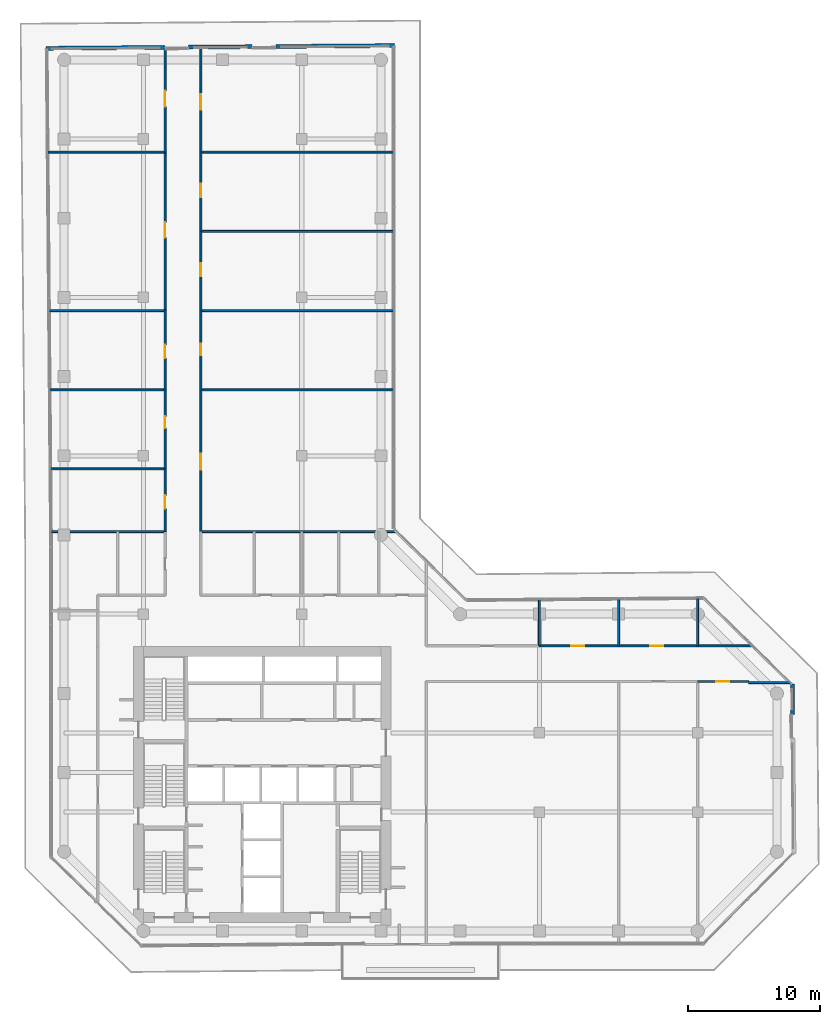
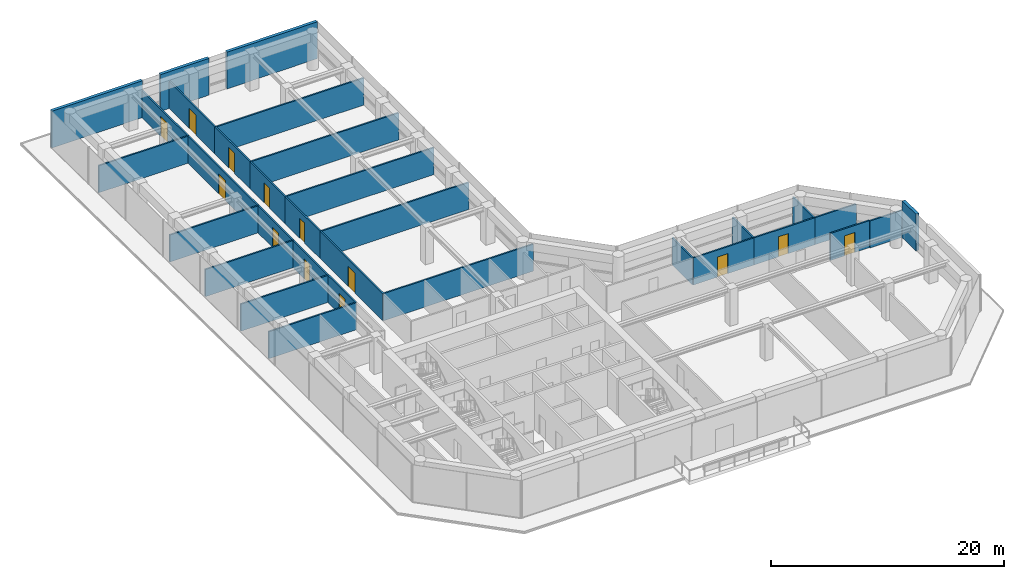
# One storey, part 18 of 21: 32 walls, 13 doors, 13 openings.
"""IFC4 building model written with IfcOpenShell, lengths in metres."""

from ifc_helpers import new_model, si_unit, direction, frame, frame_2d, origin, place, context, subcontext, project, spatial, rectangle, extrude, material, layer, layer_set, type_object, element, fill, save


model = new_model("IFC4")

# Units and contexts
model_context = context("Model", 3, precision=1e-05, world=origin(), true_north=direction((0.0, 1.0)))
body_context = subcontext(model_context, "Body", "Model", "MODEL_VIEW")
ifc_project = project(units=[si_unit("LENGTHUNIT", "METRE"), si_unit("AREAUNIT", "SQUARE_METRE"), si_unit("VOLUMEUNIT", "CUBIC_METRE"), si_unit("PLANEANGLEUNIT", "RADIAN"), si_unit("MASSUNIT", "GRAM", prefix="KILO")], contexts=[model_context])

# Site, building, storey
site_placement = place(None, origin())
site = spatial("IfcSite", under=ifc_project, at=site_placement, CompositionType="ELEMENT")
building_placement = place(site_placement, origin())
building = spatial("IfcBuilding", under=site, at=building_placement, Name="Welwitschia Terrace Campus", CompositionType="ELEMENT")
storey_placement = place(building_placement, frame((0.0, 0.0, 108.800048828125)))
storey = spatial("IfcBuildingStorey", under=building, at=storey_placement, Name="L24", CompositionType="ELEMENT", Elevation=108.800048828125)

# Walls
ifc_material_1 = material(Name="Gypsum board on steel studs", Category="steel")
ifc_layer_1 = layer(ifc_material_1, 0.14990234375)
ifc_layer_set_1 = layer_set([ifc_layer_1], Name="Gypsum board on steel studs")
wall_type_1 = type_object("IfcWallType", Name="Corridor partition 150 EI 30", PredefinedType="PARTITIONING", material=ifc_layer_set_1)
wall_1_placement = place(storey_placement, frame((-1.239990234375, 63.0, 0.0), z_axis=(0.0, 0.0, 1.0), x_axis=(1.0, 0.0, 0.0)))
element("IfcWall", 1, at=wall_1_placement, inside=storey, type_object=wall_type_1, Name="Partition", PredefinedType="PARTITIONING", context=body_context, shape_type="SweptSolid", body=[
    extrude(rectangle(XDim=8.889892578125, YDim=0.14990234375, at=frame_2d((4.44482421875, 0.0))), origin(), (0.0, 0.0, 1.0), 2.829833984375),
])
wall_2_placement = place(storey_placement, frame((-1.139892578125, 51.0, 0.0), z_axis=(0.0, 0.0, 1.0), x_axis=(1.0, 0.0, 0.0)))
element("IfcWall", 2, at=wall_2_placement, inside=storey, type_object=wall_type_1, Name="Partition", PredefinedType="PARTITIONING", context=body_context, shape_type="SweptSolid", body=[
    extrude(rectangle(XDim=8.789794921875, YDim=0.14990234375, at=frame_2d((4.39501953125, 0.0))), origin(), (0.0, 0.0, 1.0), 2.829833984375),
])
wall_3_placement = place(storey_placement, frame((-1.080078125, 45.0, 0.0), z_axis=(0.0, 0.0, 1.0), x_axis=(1.0, 0.0, 0.0)))
element("IfcWall", 3, at=wall_3_placement, inside=storey, type_object=wall_type_1, Name="Partition", PredefinedType="PARTITIONING", context=body_context, shape_type="SweptSolid", body=[
    extrude(rectangle(XDim=8.72998046875, YDim=0.14990234375, at=frame_2d((4.364990234375, 0.0))), origin(), (0.0, 0.0, 1.0), 2.829833984375),
])
wall_4_placement = place(storey_placement, frame((-1.030029296875, 39.0, 0.0), z_axis=(0.0, 0.0, 1.0), x_axis=(1.0, 0.0, 0.0)))
element("IfcWall", 4, at=wall_4_placement, inside=storey, type_object=wall_type_1, Name="Partition", PredefinedType="PARTITIONING", context=body_context, shape_type="SweptSolid", body=[
    extrude(rectangle(XDim=8.679931640625, YDim=0.14990234375, at=frame_2d((4.33984375, 0.0))), origin(), (0.0, 0.0, 1.0), 2.829833984375),
])
wall_5_placement = place(storey_placement, frame((-0.989990234375, 34.25, 0.0), z_axis=(0.0, 0.0, 1.0), x_axis=(1.0, 0.0, 0.0)))
element("IfcWall", 5, at=wall_5_placement, inside=storey, type_object=wall_type_1, Name="Partition", PredefinedType="PARTITIONING", context=body_context, shape_type="SweptSolid", body=[
    extrude(rectangle(XDim=8.639892578125, YDim=0.14990234375, at=frame_2d((4.31982421875, 0.0))), origin(), (0.0, 0.0, 1.0), 2.829833984375),
])

# Wall, opening, door
wall_6_placement = place(storey_placement, frame((7.64990234375, 34.25, 0.0), z_axis=(0.0, 0.0, 1.0), x_axis=(0.0, 1.0, 0.0)))
wall_6 = element("IfcWall", 6, at=wall_6_placement, inside=storey, type_object=wall_type_1, Name="Partition", PredefinedType="PARTITIONING", context=body_context, shape_type="SweptSolid", body=[
    extrude(rectangle(XDim=4.75, YDim=0.14990234375, at=frame_2d((2.375, 0.0))), origin(), (0.0, 0.0, 1.0), 2.829833984375),
])
opening_1_placement = place(wall_6_placement, frame((1.75, 0.0, 0.0)))
opening_1 = element("IfcOpeningElement", 7, at=opening_1_placement, cuts=wall_6, Name="Opening DI10", PredefinedType="OPENING", context=body_context, shape_type="SweptSolid", body=[
    extrude(rectangle(XDim=1.0, YDim=2.10009765625, at=frame_2d((0.5, 1.050048828125))), frame((0.0, 0.0849609375, 0.0), z_axis=(0.0, -1.0, 0.0), x_axis=(1.0, 0.0, 0.0)), (0.0, 0.0, 1.0), 0.169921875),
])
ifc_material_2 = material(Name="Timber veneered door", Category="wood")
door_type_1 = type_object("IfcDoorType", Name="Interior door DI10", OperationType="NOTDEFINED", PredefinedType="DOOR", material=ifc_material_2)
door_1_placement = place(opening_1_placement, origin())
door_1 = element("IfcDoor", 8, at=door_1_placement, inside=storey, type_object=door_type_1, Name="Door L24 523", OperationType="SINGLE_SWING_RIGHT", OverallHeight=2.10009765625, OverallWidth=1.0, PredefinedType="DOOR", context=body_context, shape_type="SweptSolid", body=[
    extrude(rectangle(XDim=1.0, YDim=2.10009765625, at=frame_2d((0.5, 1.050048828125))), frame((0.0, 0.02490234375, 0.0), z_axis=(0.0, -1.0, 0.0), x_axis=(1.0, 0.0, 0.0)), (0.0, 0.0, 1.0), 0.050048828125),
])
fill(opening_1, door_1)

wall_7_placement = place(storey_placement, frame((7.64990234375, 39.0, 0.0), z_axis=(0.0, 0.0, 1.0), x_axis=(0.0, 1.0, 0.0)))
wall_7 = element("IfcWall", 9, at=wall_7_placement, inside=storey, type_object=wall_type_1, Name="Partition", PredefinedType="PARTITIONING", context=body_context, shape_type="SweptSolid", body=[
    extrude(rectangle(XDim=6.0, YDim=0.14990234375, at=frame_2d((3.0, 0.0))), origin(), (0.0, 0.0, 1.0), 2.829833984375),
])
opening_2_placement = place(wall_7_placement, frame((3.10009765625, 0.0, 0.0)))
opening_2 = element("IfcOpeningElement", 10, at=opening_2_placement, cuts=wall_7, Name="Opening DI09", PredefinedType="OPENING", context=body_context, shape_type="SweptSolid", body=[
    extrude(rectangle(XDim=0.89990234375, YDim=2.10009765625, at=frame_2d((0.449951171875, 1.050048828125))), frame((0.0, 0.0849609375, 0.0), z_axis=(0.0, -1.0, 0.0), x_axis=(1.0, 0.0, 0.0)), (0.0, 0.0, 1.0), 0.169921875),
])
ifc_material_3 = material(Name="Timber veneered door", Category="wood")
door_type_2 = type_object("IfcDoorType", Name="Interior door DI09", OperationType="NOTDEFINED", PredefinedType="DOOR", material=ifc_material_3)
door_2_placement = place(opening_2_placement, origin())
door_2 = element("IfcDoor", 11, at=door_2_placement, inside=storey, type_object=door_type_2, Name="Door L24 524", OperationType="SINGLE_SWING_LEFT", OverallHeight=2.10009765625, OverallWidth=0.89990234375, PredefinedType="DOOR", context=body_context, shape_type="SweptSolid", body=[
    extrude(rectangle(XDim=0.89990234375, YDim=2.10009765625, at=frame_2d((0.449951171875, 1.050048828125))), frame((0.0, 0.02490234375, 0.0), z_axis=(0.0, -1.0, 0.0), x_axis=(1.0, 0.0, 0.0)), (0.0, 0.0, 1.0), 0.050048828125),
])
fill(opening_2, door_2)

wall_8_placement = place(storey_placement, frame((7.64990234375, 45.0, 0.0), z_axis=(0.0, 0.0, 1.0), x_axis=(0.0, 1.0, 0.0)))
wall_8 = element("IfcWall", 12, at=wall_8_placement, inside=storey, type_object=wall_type_1, Name="Partition", PredefinedType="PARTITIONING", context=body_context, shape_type="SweptSolid", body=[
    extrude(rectangle(XDim=6.0, YDim=0.14990234375, at=frame_2d((3.0, 0.0))), origin(), (0.0, 0.0, 1.0), 2.829833984375),
])
opening_3_placement = place(wall_8_placement, frame((2.39990234375, 0.0, 0.0)))
opening_3 = element("IfcOpeningElement", 13, at=opening_3_placement, cuts=wall_8, Name="Opening DI10", PredefinedType="OPENING", context=body_context, shape_type="SweptSolid", body=[
    extrude(rectangle(XDim=1.0, YDim=2.10009765625, at=frame_2d((0.5, 1.050048828125))), frame((0.0, 0.0849609375, 0.0), z_axis=(0.0, -1.0, 0.0), x_axis=(1.0, 0.0, 0.0)), (0.0, 0.0, 1.0), 0.169921875),
])
door_3_placement = place(opening_3_placement, origin())
door_3 = element("IfcDoor", 14, at=door_3_placement, inside=storey, type_object=door_type_1, Name="Door L24 525", OperationType="SINGLE_SWING_RIGHT", OverallHeight=2.10009765625, OverallWidth=1.0, PredefinedType="DOOR", context=body_context, shape_type="SweptSolid", body=[
    extrude(rectangle(XDim=1.0, YDim=2.10009765625, at=frame_2d((0.5, 1.050048828125))), frame((0.0, 0.02490234375, 0.0), z_axis=(0.0, -1.0, 0.0), x_axis=(1.0, 0.0, 0.0)), (0.0, 0.0, 1.0), 0.050048828125),
])
fill(opening_3, door_3)

wall_9_placement = place(storey_placement, frame((7.64990234375, 51.0, 0.0), z_axis=(0.0, 0.0, 1.0), x_axis=(0.0, 1.0, 0.0)))
wall_9 = element("IfcWall", 15, at=wall_9_placement, inside=storey, type_object=wall_type_1, Name="Partition", PredefinedType="PARTITIONING", context=body_context, shape_type="SweptSolid", body=[
    extrude(rectangle(XDim=12.0, YDim=0.14990234375, at=frame_2d((6.0, 0.0))), origin(), (0.0, 0.0, 1.0), 2.829833984375),
])
opening_4_placement = place(wall_9_placement, frame((5.5, 0.0, 0.0)))
opening_4 = element("IfcOpeningElement", 16, at=opening_4_placement, cuts=wall_9, Name="Opening DI12", PredefinedType="OPENING", context=body_context, shape_type="SweptSolid", body=[
    extrude(rectangle(XDim=1.199951171875, YDim=2.10009765625, at=frame_2d((0.60009765625, 1.050048828125))), frame((0.0, 0.0849609375, 0.0), z_axis=(0.0, -1.0, 0.0), x_axis=(1.0, 0.0, 0.0)), (0.0, 0.0, 1.0), 0.169921875),
])
ifc_material_4 = material(Name="Timber veneered door", Category="wood")
door_type_3 = type_object("IfcDoorType", Name="Interior door DI12", OperationType="NOTDEFINED", PredefinedType="DOOR", material=ifc_material_4)
door_4_placement = place(opening_4_placement, origin())
door_4 = element("IfcDoor", 17, at=door_4_placement, inside=storey, type_object=door_type_3, Name="Door L24 526", OperationType="SINGLE_SWING_LEFT", OverallHeight=2.10009765625, OverallWidth=1.199951171875, PredefinedType="DOOR", context=body_context, shape_type="SweptSolid", body=[
    extrude(rectangle(XDim=1.199951171875, YDim=2.10009765625, at=frame_2d((0.60009765625, 1.050048828125))), frame((0.0, 0.02490234375, 0.0), z_axis=(0.0, -1.0, 0.0), x_axis=(1.0, 0.0, 0.0)), (0.0, 0.0, 1.0), 0.050048828125),
])
fill(opening_4, door_4)

wall_10_placement = place(storey_placement, frame((7.64990234375, 63.0, 0.0), z_axis=(0.0, 0.0, 1.0), x_axis=(0.0, 1.0, 0.0)))
wall_10 = element("IfcWall", 18, at=wall_10_placement, inside=storey, type_object=wall_type_1, Name="Partition", PredefinedType="PARTITIONING", context=body_context, shape_type="SweptSolid", body=[
    extrude(rectangle(XDim=7.827880859375, YDim=0.14990234375, at=frame_2d((3.9140625, 0.0))), origin(), (0.0, 0.0, 1.0), 2.829833984375),
])
opening_5_placement = place(wall_10_placement, frame((3.43994140625, 0.0, 0.0)))
opening_5 = element("IfcOpeningElement", 19, at=opening_5_placement, cuts=wall_10, Name="Opening DI12", PredefinedType="OPENING", context=body_context, shape_type="SweptSolid", body=[
    extrude(rectangle(XDim=1.199951171875, YDim=2.10009765625, at=frame_2d((0.60009765625, 1.050048828125))), frame((0.0, 0.0849609375, 0.0), z_axis=(0.0, -1.0, 0.0), x_axis=(1.0, 0.0, 0.0)), (0.0, 0.0, 1.0), 0.169921875),
])
door_5_placement = place(opening_5_placement, origin())
door_5 = element("IfcDoor", 20, at=door_5_placement, inside=storey, type_object=door_type_3, Name="Door L24 527", OperationType="SINGLE_SWING_RIGHT", OverallHeight=2.10009765625, OverallWidth=1.199951171875, PredefinedType="DOOR", context=body_context, shape_type="SweptSolid", body=[
    extrude(rectangle(XDim=1.199951171875, YDim=2.10009765625, at=frame_2d((0.60009765625, 1.050048828125))), frame((0.0, 0.02490234375, 0.0), z_axis=(0.0, -1.0, 0.0), x_axis=(1.0, 0.0, 0.0)), (0.0, 0.0, 1.0), 0.050048828125),
])
fill(opening_5, door_5)

# Wall
wall_11_placement = place(storey_placement, frame((10.35009765625, 34.25, 0.0), z_axis=(0.0, 0.0, 1.0), x_axis=(1.0, 0.0, 0.0)))
element("IfcWall", 21, at=wall_11_placement, inside=storey, type_object=wall_type_1, Name="Partition", PredefinedType="PARTITIONING", context=body_context, shape_type="SweptSolid", body=[
    extrude(rectangle(XDim=14.7998046875, YDim=0.14990234375, at=frame_2d((7.39990234375, 0.0))), origin(), (0.0, 0.0, 1.0), 2.829833984375),
])

# Wall, opening, door
wall_12_placement = place(storey_placement, frame((10.35009765625, 45.0, 0.0), z_axis=(0.0, 0.0, 1.0), x_axis=(0.0, -1.0, 0.0)))
wall_12 = element("IfcWall", 22, at=wall_12_placement, inside=storey, type_object=wall_type_1, Name="Partition", PredefinedType="PARTITIONING", context=body_context, shape_type="SweptSolid", body=[
    extrude(rectangle(XDim=10.75, YDim=0.14990234375, at=frame_2d((5.375, 0.0))), origin(), (0.0, 0.0, 1.0), 2.829833984375),
])
opening_6_placement = place(wall_12_placement, frame((4.85009765625, 0.0, 0.0)))
opening_6 = element("IfcOpeningElement", 23, at=opening_6_placement, cuts=wall_12, Name="Opening DI12", PredefinedType="OPENING", context=body_context, shape_type="SweptSolid", body=[
    extrude(rectangle(XDim=1.199951171875, YDim=2.10009765625, at=frame_2d((0.60009765625, 1.050048828125))), frame((0.0, 0.0849609375, 0.0), z_axis=(0.0, -1.0, 0.0), x_axis=(1.0, 0.0, 0.0)), (0.0, 0.0, 1.0), 0.169921875),
])
door_6_placement = place(opening_6_placement, origin())
door_6 = element("IfcDoor", 24, at=door_6_placement, inside=storey, type_object=door_type_3, Name="Door L24 528", OperationType="SINGLE_SWING_LEFT", OverallHeight=2.10009765625, OverallWidth=1.199951171875, PredefinedType="DOOR", context=body_context, shape_type="SweptSolid", body=[
    extrude(rectangle(XDim=1.199951171875, YDim=2.10009765625, at=frame_2d((0.60009765625, 1.050048828125))), frame((0.0, 0.02490234375, 0.0), z_axis=(0.0, -1.0, 0.0), x_axis=(1.0, 0.0, 0.0)), (0.0, 0.0, 1.0), 0.050048828125),
])
fill(opening_6, door_6)

# Wall
wall_13_placement = place(storey_placement, frame((10.35009765625, 45.0, 0.0), z_axis=(0.0, 0.0, 1.0), x_axis=(1.0, 0.0, 0.0)))
element("IfcWall", 25, at=wall_13_placement, inside=storey, type_object=wall_type_1, Name="Partition", PredefinedType="PARTITIONING", context=body_context, shape_type="SweptSolid", body=[
    extrude(rectangle(XDim=14.6298828125, YDim=0.14990234375, at=frame_2d((7.31494140625, 0.0))), origin(), (0.0, 0.0, 1.0), 2.829833984375),
])

# Wall, opening, door
wall_14_placement = place(storey_placement, frame((10.35009765625, 51.0, 0.0), z_axis=(0.0, 0.0, 1.0), x_axis=(0.0, -1.0, 0.0)))
wall_14 = element("IfcWall", 26, at=wall_14_placement, inside=storey, type_object=wall_type_1, Name="Partition", PredefinedType="PARTITIONING", context=body_context, shape_type="SweptSolid", body=[
    extrude(rectangle(XDim=6.0, YDim=0.14990234375, at=frame_2d((3.0, 0.0))), origin(), (0.0, 0.0, 1.0), 2.829833984375),
])
opening_7_placement = place(wall_14_placement, frame((2.5, 0.0, 0.0)))
opening_7 = element("IfcOpeningElement", 27, at=opening_7_placement, cuts=wall_14, Name="Opening DI09", PredefinedType="OPENING", context=body_context, shape_type="SweptSolid", body=[
    extrude(rectangle(XDim=0.89990234375, YDim=2.10009765625, at=frame_2d((0.449951171875, 1.050048828125))), frame((0.0, 0.0849609375, 0.0), z_axis=(0.0, -1.0, 0.0), x_axis=(1.0, 0.0, 0.0)), (0.0, 0.0, 1.0), 0.169921875),
])
door_7_placement = place(opening_7_placement, origin())
door_7 = element("IfcDoor", 28, at=door_7_placement, inside=storey, type_object=door_type_2, Name="Door L24 529", OperationType="SINGLE_SWING_RIGHT", OverallHeight=2.10009765625, OverallWidth=0.89990234375, PredefinedType="DOOR", context=body_context, shape_type="SweptSolid", body=[
    extrude(rectangle(XDim=0.89990234375, YDim=2.10009765625, at=frame_2d((0.449951171875, 1.050048828125))), frame((0.0, 0.02490234375, 0.0), z_axis=(0.0, -1.0, 0.0), x_axis=(1.0, 0.0, 0.0)), (0.0, 0.0, 1.0), 0.050048828125),
])
fill(opening_7, door_7)

# Wall
wall_15_placement = place(storey_placement, frame((10.35009765625, 51.0, 0.0), z_axis=(0.0, 0.0, 1.0), x_axis=(1.0, 0.0, 0.0)))
element("IfcWall", 29, at=wall_15_placement, inside=storey, type_object=wall_type_1, Name="Partition", PredefinedType="PARTITIONING", context=body_context, shape_type="SweptSolid", body=[
    extrude(rectangle(XDim=14.6298828125, YDim=0.14990234375, at=frame_2d((7.31494140625, 0.0))), origin(), (0.0, 0.0, 1.0), 2.829833984375),
])

# Wall, opening, door
wall_16_placement = place(storey_placement, frame((10.35009765625, 57.0, 0.0), z_axis=(0.0, 0.0, 1.0), x_axis=(0.0, -1.0, 0.0)))
wall_16 = element("IfcWall", 30, at=wall_16_placement, inside=storey, type_object=wall_type_1, Name="Partition", PredefinedType="PARTITIONING", context=body_context, shape_type="SweptSolid", body=[
    extrude(rectangle(XDim=6.0, YDim=0.14990234375, at=frame_2d((3.0, 0.0))), origin(), (0.0, 0.0, 1.0), 2.829833984375),
])
opening_8_placement = place(wall_16_placement, frame((2.39990234375, 0.0, 0.0)))
opening_8 = element("IfcOpeningElement", 31, at=opening_8_placement, cuts=wall_16, Name="Opening DI10", PredefinedType="OPENING", context=body_context, shape_type="SweptSolid", body=[
    extrude(rectangle(XDim=1.0, YDim=2.10009765625, at=frame_2d((0.5, 1.050048828125))), frame((0.0, 0.0849609375, 0.0), z_axis=(0.0, -1.0, 0.0), x_axis=(1.0, 0.0, 0.0)), (0.0, 0.0, 1.0), 0.169921875),
])
door_8_placement = place(opening_8_placement, origin())
door_8 = element("IfcDoor", 32, at=door_8_placement, inside=storey, type_object=door_type_1, Name="Door L24 530", OperationType="SINGLE_SWING_LEFT", OverallHeight=2.10009765625, OverallWidth=1.0, PredefinedType="DOOR", context=body_context, shape_type="SweptSolid", body=[
    extrude(rectangle(XDim=1.0, YDim=2.10009765625, at=frame_2d((0.5, 1.050048828125))), frame((0.0, 0.02490234375, 0.0), z_axis=(0.0, -1.0, 0.0), x_axis=(1.0, 0.0, 0.0)), (0.0, 0.0, 1.0), 0.050048828125),
])
fill(opening_8, door_8)

# Wall
wall_17_placement = place(storey_placement, frame((10.35009765625, 57.0, 0.0), z_axis=(0.0, 0.0, 1.0), x_axis=(1.0, 0.0, 0.0)))
element("IfcWall", 33, at=wall_17_placement, inside=storey, type_object=wall_type_1, Name="Partition", PredefinedType="PARTITIONING", context=body_context, shape_type="SweptSolid", body=[
    extrude(rectangle(XDim=14.6298828125, YDim=0.14990234375, at=frame_2d((7.31494140625, 0.0))), origin(), (0.0, 0.0, 1.0), 2.829833984375),
])

# Wall, opening, door
wall_18_placement = place(storey_placement, frame((10.35009765625, 63.0, 0.0), z_axis=(0.0, 0.0, 1.0), x_axis=(0.0, -1.0, 0.0)))
wall_18 = element("IfcWall", 34, at=wall_18_placement, inside=storey, type_object=wall_type_1, Name="Partition", PredefinedType="PARTITIONING", context=body_context, shape_type="SweptSolid", body=[
    extrude(rectangle(XDim=6.0, YDim=0.14990234375, at=frame_2d((3.0, 0.0))), origin(), (0.0, 0.0, 1.0), 2.829833984375),
])
opening_9_placement = place(wall_18_placement, frame((2.39990234375, 0.0, 0.0)))
opening_9 = element("IfcOpeningElement", 35, at=opening_9_placement, cuts=wall_18, Name="Opening DI10", PredefinedType="OPENING", context=body_context, shape_type="SweptSolid", body=[
    extrude(rectangle(XDim=1.0, YDim=2.10009765625, at=frame_2d((0.5, 1.050048828125))), frame((0.0, 0.0849609375, 0.0), z_axis=(0.0, -1.0, 0.0), x_axis=(1.0, 0.0, 0.0)), (0.0, 0.0, 1.0), 0.169921875),
])
door_9_placement = place(opening_9_placement, origin())
door_9 = element("IfcDoor", 36, at=door_9_placement, inside=storey, type_object=door_type_1, Name="Door L24 531", OperationType="SINGLE_SWING_RIGHT", OverallHeight=2.10009765625, OverallWidth=1.0, PredefinedType="DOOR", context=body_context, shape_type="SweptSolid", body=[
    extrude(rectangle(XDim=1.0, YDim=2.10009765625, at=frame_2d((0.5, 1.050048828125))), frame((0.0, 0.02490234375, 0.0), z_axis=(0.0, -1.0, 0.0), x_axis=(1.0, 0.0, 0.0)), (0.0, 0.0, 1.0), 0.050048828125),
])
fill(opening_9, door_9)

# Wall
wall_19_placement = place(storey_placement, frame((10.35009765625, 63.0, 0.0), z_axis=(0.0, 0.0, 1.0), x_axis=(1.0, 0.0, 0.0)))
element("IfcWall", 37, at=wall_19_placement, inside=storey, type_object=wall_type_1, Name="Partition", PredefinedType="PARTITIONING", context=body_context, shape_type="SweptSolid", body=[
    extrude(rectangle(XDim=14.6298828125, YDim=0.14990234375, at=frame_2d((7.31494140625, 0.0))), origin(), (0.0, 0.0, 1.0), 2.829833984375),
])

# Wall, opening, door
wall_20_placement = place(storey_placement, frame((10.35009765625, 70.97412109375, 0.0), z_axis=(0.0, 0.0, 1.0), x_axis=(0.0, -1.0, 0.0)))
wall_20 = element("IfcWall", 38, at=wall_20_placement, inside=storey, type_object=wall_type_1, Name="Partition", PredefinedType="PARTITIONING", context=body_context, shape_type="SweptSolid", body=[
    extrude(rectangle(XDim=7.97412109375, YDim=0.14990234375, at=frame_2d((3.987060546875, 0.0))), origin(), (0.0, 0.0, 1.0), 2.829833984375),
])
opening_10_placement = place(wall_20_placement, frame((3.57421875, 0.0, 0.0)))
opening_10 = element("IfcOpeningElement", 39, at=opening_10_placement, cuts=wall_20, Name="Opening DI12", PredefinedType="OPENING", context=body_context, shape_type="SweptSolid", body=[
    extrude(rectangle(XDim=1.199951171875, YDim=2.10009765625, at=frame_2d((0.60009765625, 1.050048828125))), frame((0.0, 0.0849609375, 0.0), z_axis=(0.0, -1.0, 0.0), x_axis=(1.0, 0.0, 0.0)), (0.0, 0.0, 1.0), 0.169921875),
])
door_10_placement = place(opening_10_placement, origin())
door_10 = element("IfcDoor", 40, at=door_10_placement, inside=storey, type_object=door_type_3, Name="Door L24 532", OperationType="SINGLE_SWING_LEFT", OverallHeight=2.10009765625, OverallWidth=1.199951171875, PredefinedType="DOOR", context=body_context, shape_type="SweptSolid", body=[
    extrude(rectangle(XDim=1.199951171875, YDim=2.10009765625, at=frame_2d((0.60009765625, 1.050048828125))), frame((0.0, 0.02490234375, 0.0), z_axis=(0.0, -1.0, 0.0), x_axis=(1.0, 0.0, 0.0)), (0.0, 0.0, 1.0), 0.050048828125),
])
fill(opening_10, door_10)

# Wall
wall_21_placement = place(storey_placement, frame((36.0, 25.60009765625, 0.0), z_axis=(0.0, 0.0, 1.0), x_axis=(0.0, 1.0, 0.0)))
element("IfcWall", 41, at=wall_21_placement, inside=storey, type_object=wall_type_1, Name="Partition", PredefinedType="PARTITIONING", context=body_context, shape_type="SweptSolid", body=[
    extrude(rectangle(XDim=3.5, YDim=0.14990234375, at=frame_2d((1.75, 0.0))), origin(), (0.0, 0.0, 1.0), 2.829833984375),
])

# Wall, opening, door
wall_22_placement = place(storey_placement, frame((36.0, 25.60009765625, 0.0), z_axis=(0.0, 0.0, 1.0), x_axis=(1.0, 0.0, 0.0)))
wall_22 = element("IfcWall", 42, at=wall_22_placement, inside=storey, type_object=wall_type_1, Name="Partition", PredefinedType="PARTITIONING", context=body_context, shape_type="SweptSolid", body=[
    extrude(rectangle(XDim=6.0, YDim=0.14990234375, at=frame_2d((3.0, 0.0))), origin(), (0.0, 0.0, 1.0), 2.829833984375),
])
opening_11_placement = place(wall_22_placement, frame((2.39990234375, 0.0, 0.0)))
opening_11 = element("IfcOpeningElement", 43, at=opening_11_placement, cuts=wall_22, Name="Opening DI10", PredefinedType="OPENING", context=body_context, shape_type="SweptSolid", body=[
    extrude(rectangle(XDim=1.0, YDim=2.10009765625, at=frame_2d((0.5, 1.050048828125))), frame((0.0, 0.0849609375, 0.0), z_axis=(0.0, -1.0, 0.0), x_axis=(1.0, 0.0, 0.0)), (0.0, 0.0, 1.0), 0.169921875),
])
door_11_placement = place(opening_11_placement, origin())
door_11 = element("IfcDoor", 44, at=door_11_placement, inside=storey, type_object=door_type_1, Name="Door L24 538", OperationType="SINGLE_SWING_LEFT", OverallHeight=2.10009765625, OverallWidth=1.0, PredefinedType="DOOR", context=body_context, shape_type="SweptSolid", body=[
    extrude(rectangle(XDim=1.0, YDim=2.10009765625, at=frame_2d((0.5, 1.050048828125))), frame((0.0, 0.02490234375, 0.0), z_axis=(0.0, -1.0, 0.0), x_axis=(1.0, 0.0, 0.0)), (0.0, 0.0, 1.0), 0.050048828125),
])
fill(opening_11, door_11)

# Wall
wall_23_placement = place(storey_placement, frame((42.0, 25.60009765625, 0.0), z_axis=(0.0, 0.0, 1.0), x_axis=(0.0, 1.0, 0.0)))
element("IfcWall", 45, at=wall_23_placement, inside=storey, type_object=wall_type_1, Name="Partition", PredefinedType="PARTITIONING", context=body_context, shape_type="SweptSolid", body=[
    extrude(rectangle(XDim=3.5498046875, YDim=0.14990234375, at=frame_2d((1.77490234375, 0.0))), origin(), (0.0, 0.0, 1.0), 2.829833984375),
])

# Wall, opening, door
wall_24_placement = place(storey_placement, frame((42.0, 25.60009765625, 0.0), z_axis=(0.0, 0.0, 1.0), x_axis=(1.0, 0.0, 0.0)))
wall_24 = element("IfcWall", 46, at=wall_24_placement, inside=storey, type_object=wall_type_1, Name="Partition", PredefinedType="PARTITIONING", context=body_context, shape_type="SweptSolid", body=[
    extrude(rectangle(XDim=6.0, YDim=0.14990234375, at=frame_2d((3.0, 0.0))), origin(), (0.0, 0.0, 1.0), 2.829833984375),
])
opening_12_placement = place(wall_24_placement, frame((2.39990234375, 0.0, 0.0)))
opening_12 = element("IfcOpeningElement", 47, at=opening_12_placement, cuts=wall_24, Name="Opening DI10", PredefinedType="OPENING", context=body_context, shape_type="SweptSolid", body=[
    extrude(rectangle(XDim=1.0, YDim=2.10009765625, at=frame_2d((0.5, 1.050048828125))), frame((0.0, 0.0849609375, 0.0), z_axis=(0.0, -1.0, 0.0), x_axis=(1.0, 0.0, 0.0)), (0.0, 0.0, 1.0), 0.169921875),
])
door_12_placement = place(opening_12_placement, origin())
door_12 = element("IfcDoor", 48, at=door_12_placement, inside=storey, type_object=door_type_1, Name="Door L24 539", OperationType="SINGLE_SWING_RIGHT", OverallHeight=2.10009765625, OverallWidth=1.0, PredefinedType="DOOR", context=body_context, shape_type="SweptSolid", body=[
    extrude(rectangle(XDim=1.0, YDim=2.10009765625, at=frame_2d((0.5, 1.050048828125))), frame((0.0, 0.02490234375, 0.0), z_axis=(0.0, -1.0, 0.0), x_axis=(1.0, 0.0, 0.0)), (0.0, 0.0, 1.0), 0.050048828125),
])
fill(opening_12, door_12)

# Walls
wall_25_placement = place(storey_placement, frame((48.0, 25.60009765625, 0.0), z_axis=(0.0, 0.0, 1.0), x_axis=(0.0, 1.0, 0.0)))
element("IfcWall", 49, at=wall_25_placement, inside=storey, type_object=wall_type_1, Name="Partition", PredefinedType="PARTITIONING", context=body_context, shape_type="SweptSolid", body=[
    extrude(rectangle(XDim=3.599853515625, YDim=0.14990234375, at=frame_2d((1.7998046875, 0.0))), origin(), (0.0, 0.0, 1.0), 2.829833984375),
])
wall_26_placement = place(storey_placement, frame((48.0, 25.60009765625, 0.0), z_axis=(0.0, 0.0, 1.0), x_axis=(1.0, 0.0, 0.0)))
element("IfcWall", 50, at=wall_26_placement, inside=storey, type_object=wall_type_1, Name="Partition", PredefinedType="PARTITIONING", context=body_context, shape_type="SweptSolid", body=[
    extrude(rectangle(XDim=4.110107421875, YDim=0.14990234375, at=frame_2d((2.05517578125, 0.0))), origin(), (0.0, 0.0, 1.0), 2.829833984375),
])
wall_27_placement = place(storey_placement, frame((51.85009765625, 22.820068359375, 0.0), z_axis=(0.0, 0.0, 1.0), x_axis=(1.0, 0.0, 0.0)))
element("IfcWall", 51, at=wall_27_placement, inside=storey, type_object=wall_type_1, Name="Partition", PredefinedType="PARTITIONING", context=body_context, shape_type="SweptSolid", body=[
    extrude(rectangle(XDim=3.18603515625, YDim=0.14990234375, at=frame_2d((1.593017578125, 0.0))), origin(), (0.0, 0.0, 1.0), 2.829833984375),
])

# Wall, opening, door
wall_28_placement = place(storey_placement, frame((51.8798828125, 22.89990234375, 0.0), z_axis=(0.0, 0.0, 1.0), x_axis=(-1.0, 0.0, 0.0)))
wall_28 = element("IfcWall", 52, at=wall_28_placement, inside=storey, type_object=wall_type_1, Name="Partition", PredefinedType="PARTITIONING", context=body_context, shape_type="SweptSolid", body=[
    extrude(rectangle(XDim=3.8798828125, YDim=0.14990234375, at=frame_2d((1.93994140625, 0.0))), origin(), (0.0, 0.0, 1.0), 2.829833984375),
])
opening_13_placement = place(wall_28_placement, frame((1.47998046875, 0.0, 0.0)))
opening_13 = element("IfcOpeningElement", 53, at=opening_13_placement, cuts=wall_28, Name="Opening DI10", PredefinedType="OPENING", context=body_context, shape_type="SweptSolid", body=[
    extrude(rectangle(XDim=1.0, YDim=2.10009765625, at=frame_2d((0.5, 1.050048828125))), frame((0.0, 0.0849609375, 0.0), z_axis=(0.0, -1.0, 0.0), x_axis=(1.0, 0.0, 0.0)), (0.0, 0.0, 1.0), 0.169921875),
])
door_13_placement = place(opening_13_placement, origin())
door_13 = element("IfcDoor", 54, at=door_13_placement, inside=storey, type_object=door_type_1, Name="Door L24 541", OperationType="SINGLE_SWING_RIGHT", OverallHeight=2.10009765625, OverallWidth=1.0, PredefinedType="DOOR", context=body_context, shape_type="SweptSolid", body=[
    extrude(rectangle(XDim=1.0, YDim=2.10009765625, at=frame_2d((0.5, 1.050048828125))), frame((0.0, 0.02490234375, 0.0), z_axis=(0.0, -1.0, 0.0), x_axis=(1.0, 0.0, 0.0)), (0.0, 0.0, 1.0), 0.050048828125),
])
fill(opening_13, door_13)

# Walls
ifc_material_5 = material(Name="Concrete C40/50", Category="concrete")
ifc_layer_2 = layer(ifc_material_5, 0.300048828125)
ifc_layer_set_2 = layer_set([ifc_layer_2], Name="Concrete C40/50")
wall_type_2 = type_object("IfcWallType", Name="Mass wall 300", PredefinedType="SOLIDWALL", material=ifc_layer_set_2)
wall_29_placement = place(storey_placement, frame((55.1923828125, 20.396484375, 0.0), z_axis=(0.0, 0.0, 1.0), x_axis=(-0.008654029484, 0.999962553186, 0.0)))
element("IfcWall", 55, at=wall_29_placement, inside=storey, type_object=wall_type_2, Name="Mass wall L24.6.1", PredefinedType="SOLIDWALL", context=body_context, shape_type="SweptSolid", body=[
    extrude(rectangle(XDim=2.313232421875, YDim=0.300048828125, at=frame_2d((1.15673828125, 0.0))), origin(), (0.0, 0.0, 1.0), 3.849853515625),
])
wall_30_placement = place(storey_placement, frame((25.029541015625, 71.078369140625, 0.0), z_axis=(0.0, 0.0, 1.0), x_axis=(-0.999968601349, -0.007924412614, 0.0)))
element("IfcWall", 56, at=wall_30_placement, inside=storey, type_object=wall_type_2, Name="Mass wall L24.11.0", PredefinedType="SOLIDWALL", context=body_context, shape_type="SweptSolid", body=[
    extrude(rectangle(XDim=8.99609375, YDim=0.300048828125, at=frame_2d((4.498046875, 0.0))), origin(), (0.0, 0.0, 1.0), 3.849853515625),
])
wall_31_placement = place(storey_placement, frame((14.233642578125, 70.994873046875, 0.0), z_axis=(0.0, 0.0, 1.0), x_axis=(-0.999968890859, -0.007887795322, 0.0)))
element("IfcWall", 57, at=wall_31_placement, inside=storey, type_object=wall_type_2, Name="Mass wall L24.11.1", PredefinedType="SOLIDWALL", context=body_context, shape_type="SweptSolid", body=[
    extrude(rectangle(XDim=4.797607421875, YDim=0.300048828125, at=frame_2d((2.39892578125, 0.0))), origin(), (0.0, 0.0, 1.0), 3.849853515625),
])
wall_32_placement = place(storey_placement, frame((7.63623046875, 70.94091796875, 0.0), z_axis=(0.0, 0.0, 1.0), x_axis=(-0.999968817723, -0.007897061603, 0.0)))
element("IfcWall", 58, at=wall_32_placement, inside=storey, type_object=wall_type_2, Name="Mass wall L24.11.2", PredefinedType="SOLIDWALL", context=body_context, shape_type="SweptSolid", body=[
    extrude(rectangle(XDim=8.996337890625, YDim=0.300048828125, at=frame_2d((4.498046875, 0.0))), origin(), (0.0, 0.0, 1.0), 3.849853515625),
])

save(model, "model.ifc")
